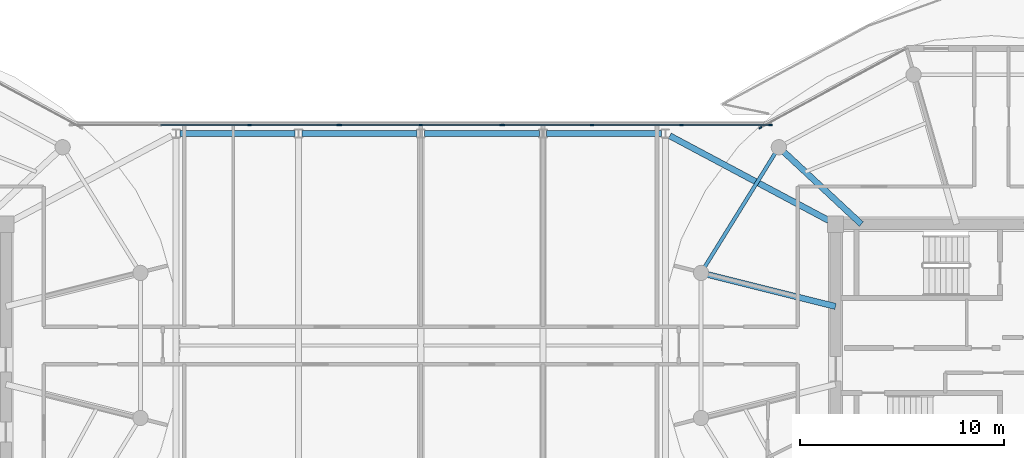
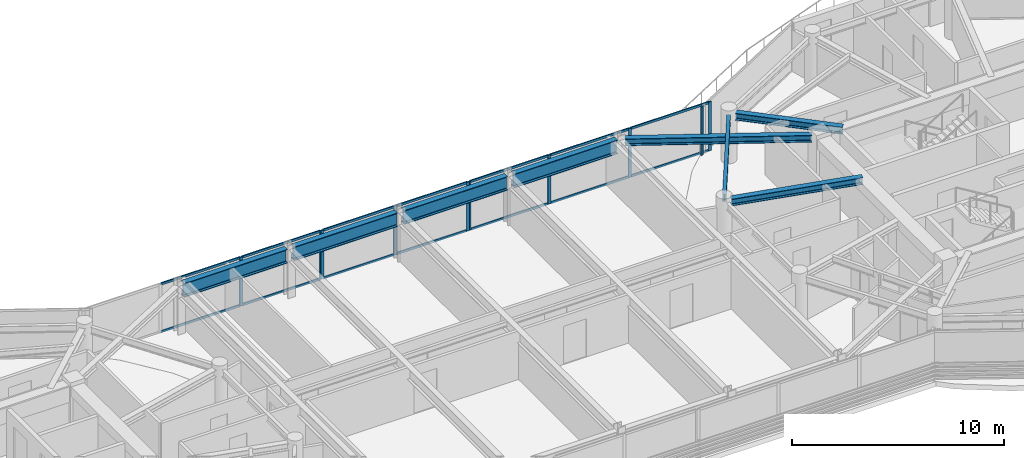
# One storey, part 8 of 23: 24 members, 8 beams, 4 elements without a shape of their own.
"""IFC4 building model written with IfcOpenShell, lengths in metres."""

import ifcopenshell
import ifcopenshell.guid

model = None  # the IFC model being written
_history = None  # IfcOwnerHistory: only IFC2X3 demands one
_inside = {}  # id of a spatial element -> (the spatial element, [elements in it])
_under = {}  # id of a project, library or spatial element -> (it, [spatial elements below it])
_declared = {}  # id of a project -> (the project, [libraries it declares])
_typed = {}  # id of a type object -> (the type object, [elements of that type])
_made_of = {}  # id of a material, layer set ... -> (it, [elements and type objects made of it])


def new_model(schema):
    """Start an empty IFC model of exactly this schema.

    Asked for "IFC4X3", IfcOpenShell would pick the latest addendum, in which some entities
    have other attributes; the version numbers below select the first issue.
    IFC2X3 requires an IfcOwnerHistory on every rooted entity: one is made here for all.
    """
    global model, _history
    if schema == "IFC4X3":
        model = ifcopenshell.file(schema_version=(4, 3, 0, 0))
    else:
        model = ifcopenshell.file(schema=schema)
    _inside.clear()
    _under.clear()
    _declared.clear()
    _typed.clear()
    _made_of.clear()
    _history = None
    if model.schema == "IFC2X3":
        org = make("IfcOrganization", Name="unknown")
        user = make(
            "IfcPersonAndOrganization",
            ThePerson=make("IfcPerson", FamilyName="unknown"),
            TheOrganization=org,
        )
        app = make(
            "IfcApplication",
            ApplicationDeveloper=org,
            Version="unknown",
            ApplicationFullName="unknown",
            ApplicationIdentifier="unknown",
        )
        _history = make(
            "IfcOwnerHistory",
            OwningUser=user,
            OwningApplication=app,
            ChangeAction="ADDED",
            CreationDate=0,
        )
    return model


def make(cls, **values):
    """One entity of the class cls with the attributes given. An attribute that is None is left unset."""
    return model.create_entity(
        cls, **{name: value for name, value in values.items() if value is not None}
    )


def rooted(cls, **values):
    """An entity with a GlobalId (a new one), such as an element, a storey or a relation."""
    return make(cls, GlobalId=ifcopenshell.guid.new(), OwnerHistory=_history, **values)


def si_unit(unit_type, name, prefix=None):
    """IfcSIUnit, for example si_unit("LENGTHUNIT", "METRE", prefix="MILLI")."""
    return make("IfcSIUnit", UnitType=unit_type, Prefix=prefix, Name=name)


def assignment(units):
    """IfcUnitAssignment: the units of a project."""
    return None if units is None else make("IfcUnitAssignment", Units=units)


def point(xyz):
    """IfcCartesianPoint."""
    return None if xyz is None else make("IfcCartesianPoint", Coordinates=xyz)


def direction(xyz):
    """IfcDirection."""
    return None if xyz is None else make("IfcDirection", DirectionRatios=xyz)


def frame(location, z_axis=None, x_axis=None):
    """IfcAxis2Placement3D, a coordinate frame: its origin and axes. An axis left out is left unset."""
    return make(
        "IfcAxis2Placement3D",
        Location=point(location),
        Axis=direction(z_axis),
        RefDirection=direction(x_axis),
    )


def frame_2d(location, x_axis=None):
    """IfcAxis2Placement2D, a coordinate frame in the plane: its origin and x axis."""
    return make(
        "IfcAxis2Placement2D", Location=point(location), RefDirection=direction(x_axis)
    )


def origin():
    """The frame at (0, 0, 0) with its axes left unset."""
    return frame((0.0, 0.0, 0.0))


def origin_2d():
    """The frame at (0, 0) in the plane with its x axis left unset."""
    return frame_2d((0.0, 0.0))


def place(relative_to, where):
    """IfcLocalPlacement: puts the frame where relative to a parent placement (None: the world)."""
    return make(
        "IfcLocalPlacement", PlacementRelTo=relative_to, RelativePlacement=where
    )


def context(
    kind, dimensions, precision=None, world=None, true_north=None, identifier=None
):
    """IfcGeometricRepresentationContext, for example the 3D "Model" context."""
    return make(
        "IfcGeometricRepresentationContext",
        ContextIdentifier=identifier,
        ContextType=kind,
        CoordinateSpaceDimension=dimensions,
        Precision=precision,
        WorldCoordinateSystem=world,
        TrueNorth=true_north,
    )


def subcontext(parent, identifier, kind, view, scale=None):
    """IfcGeometricRepresentationSubContext, for example "Body" below "Model"."""
    return make(
        "IfcGeometricRepresentationSubContext",
        ContextIdentifier=identifier,
        ContextType=kind,
        ParentContext=parent,
        TargetScale=scale,
        TargetView=view,
    )


def project(units=None, contexts=None):
    """IfcProject with its units and contexts."""
    return rooted(
        "IfcProject",
        Name="project",
        RepresentationContexts=contexts,
        UnitsInContext=assignment(units),
    )


def spatial(cls, under=None, at=None, **own):
    """A site, building, storey or space (cls), placed at a placement, below another one or the project."""
    s = rooted(cls, ObjectPlacement=at, **own)
    if under is not None:
        _under.setdefault(under.id(), (under, []))[1].append(s)
    return s


def profile(cls, at=None, kind="AREA", **sizes):
    """A parametric profile (cls). Its sizes go by their IFC names, for example OverallWidth=200.0."""
    return make(cls, ProfileType=kind, Position=at, **sizes)


def rectangle(**sizes):
    """IfcRectangleProfileDef."""
    return profile("IfcRectangleProfileDef", **sizes)


def i_section(**sizes):
    """IfcIShapeProfileDef."""
    return profile("IfcIShapeProfileDef", **sizes)


def extrude(swept, where, along, depth):
    """IfcExtrudedAreaSolid: the profile swept, set in the frame where, extruded along a direction by depth."""
    return make(
        "IfcExtrudedAreaSolid",
        SweptArea=swept,
        Position=where,
        ExtrudedDirection=direction(along),
        Depth=depth,
    )


def shape(context_of_items, identifier, shape_type, items):
    """IfcShapeRepresentation: the items that make up one representation, for example the "Body"."""
    return make(
        "IfcShapeRepresentation",
        ContextOfItems=context_of_items,
        RepresentationIdentifier=identifier,
        RepresentationType=shape_type,
        Items=items,
    )


def source(mapping_origin, context_of_items, identifier, shape_type, items):
    """IfcRepresentationMap: a shape defined once, which mapped items show again and again."""
    return make(
        "IfcRepresentationMap",
        MappingOrigin=mapping_origin,
        MappedRepresentation=shape(context_of_items, identifier, shape_type, items),
    )


def transform(
    local_origin,
    x_axis=None,
    y_axis=None,
    z_axis=None,
    scale=None,
    scale2=None,
    scale3=None,
    uniform=True,
):
    """IfcCartesianTransformationOperator3D, or its non-uniform kind. x_axis, y_axis, z_axis: its Axis1, 2, 3."""
    if uniform:
        return make(
            "IfcCartesianTransformationOperator3D",
            Axis1=direction(x_axis),
            Axis2=direction(y_axis),
            LocalOrigin=point(local_origin),
            Scale=scale,
            Axis3=direction(z_axis),
        )
    return make(
        "IfcCartesianTransformationOperator3DnonUniform",
        Axis1=direction(x_axis),
        Axis2=direction(y_axis),
        LocalOrigin=point(local_origin),
        Scale=scale,
        Axis3=direction(z_axis),
        Scale2=scale2,
        Scale3=scale3,
    )


def mapped(mapping_source, mapping_target):
    """IfcMappedItem: shows the shape of a source again, moved by a transform."""
    return make(
        "IfcMappedItem", MappingSource=mapping_source, MappingTarget=mapping_target
    )


def material(Name=None, Category=None):
    """IfcMaterial."""
    return make("IfcMaterial", Name=Name, Category=Category)


def layer(
    of_material, thickness, ventilated=None, Name=None, Category=None, Priority=None
):
    """IfcMaterialLayer: one layer of a wall or slab, of a material (None: an air gap)."""
    return make(
        "IfcMaterialLayer",
        Material=of_material,
        LayerThickness=thickness,
        IsVentilated=ventilated,
        Name=Name,
        Category=Category,
        Priority=Priority,
    )


def layer_set(layers, Name=None):
    """IfcMaterialLayerSet."""
    return make("IfcMaterialLayerSet", MaterialLayers=layers, LayerSetName=Name)


def material_profile(
    of_material, cross_section, Name=None, Category=None, Priority=None
):
    """IfcMaterialProfile: a cross section and its material."""
    return make(
        "IfcMaterialProfile",
        Name=Name,
        Material=of_material,
        Profile=cross_section,
        Priority=Priority,
        Category=Category,
    )


def profile_set(profiles, Name=None, composite=None):
    """IfcMaterialProfileSet."""
    return make(
        "IfcMaterialProfileSet",
        Name=Name,
        MaterialProfiles=profiles,
        CompositeProfile=composite,
    )


def made_of(thing, what):
    """Note that an element or type object is made of a material, layer set ...; save() writes the relation."""
    if what is not None:
        _made_of.setdefault(what.id(), (what, []))[1].append(thing)
    return thing


def type_object(cls, material=None, **own):
    """A type object (cls), such as IfcWallType, which elements share."""
    return made_of(rooted(cls, **own), material)


def type_shapes(of_type, sources):
    """Give a type object the sources (RepresentationMaps) that its elements show as mapped items."""
    of_type.RepresentationMaps = sources


def element(
    cls,
    number,
    at=None,
    inside=None,
    cuts=None,
    type_object=None,
    material=None,
    context=None,
    identifier="Body",
    shape_type=None,
    held_by="IfcProductDefinitionShape",
    body=None,
    shapes=None,
    **own,
):
    """One element of the class cls, such as IfcWall. Its Tag is "e" and its number.

    at: its placement. inside: the storey or other place that contains it. cuts: it is an
    opening in that element (IfcRelVoidsElement). A single representation is given by context,
    identifier, shape_type and body (its items); several are given by shapes. held_by: the class
    of the entity that holds the representations. save() writes the other relations.
    """
    e = rooted(cls, Tag="e%d" % number, ObjectPlacement=at, **own)
    if body is not None:
        shapes = [shape(context, identifier, shape_type, body)]
    if shapes is not None:
        e.Representation = make(held_by, Representations=shapes)
    if inside is not None:
        _inside.setdefault(inside.id(), (inside, []))[1].append(e)
    if cuts is not None:
        rooted(
            "IfcRelVoidsElement", RelatingBuildingElement=cuts, RelatedOpeningElement=e
        )
    if type_object is not None:
        _typed.setdefault(type_object.id(), (type_object, []))[1].append(e)
    return made_of(e, material)


def aggregate(whole, parts):
    """IfcRelAggregates: a whole, such as a stair, and the parts it consists of."""
    return rooted("IfcRelAggregates", RelatingObject=whole, RelatedObjects=parts)


def save(model, path):
    """Write the relations noted so far, then the file.

    IfcRelAggregates (storeys below a building ...), IfcRelContainedInSpatialStructure (elements
    in a storey), IfcRelDefinesByType, IfcRelAssociatesMaterial and IfcRelDeclares: one each for
    every whole, place, type object, material and project.
    """
    for whole, parts in _under.values():
        aggregate(whole, parts)
    for where, things in _inside.values():
        rooted(
            "IfcRelContainedInSpatialStructure",
            RelatedElements=things,
            RelatingStructure=where,
        )
    for kind, things in _typed.values():
        rooted("IfcRelDefinesByType", RelatedObjects=things, RelatingType=kind)
    for what, things in _made_of.values():
        rooted("IfcRelAssociatesMaterial", RelatedObjects=things, RelatingMaterial=what)
    for by, libraries in _declared.values():
        rooted("IfcRelDeclares", RelatingContext=by, RelatedDefinitions=libraries)
    model.write(path)


model = new_model("IFC4")

# Units and contexts
model_context = context("Model", 3, precision=1e-05, world=origin(), true_north=direction((0.0, 1.0)))
body_context = subcontext(model_context, "Body", "Model", "MODEL_VIEW")
ifc_project = project(units=[si_unit("LENGTHUNIT", "METRE"), si_unit("AREAUNIT", "SQUARE_METRE"), si_unit("VOLUMEUNIT", "CUBIC_METRE"), si_unit("PLANEANGLEUNIT", "RADIAN"), si_unit("MASSUNIT", "GRAM", prefix="KILO")], contexts=[model_context])

# Site, building, storey
site_placement = place(None, origin())
site = spatial("IfcSite", under=ifc_project, at=site_placement, CompositionType="ELEMENT")
building_placement = place(site_placement, origin())
building = spatial("IfcBuilding", under=site, at=building_placement, Name="Norrkilde Senior Care Towers", CompositionType="ELEMENT")
storey_placement = place(building_placement, frame((0.0, 0.0, 229.14990234375)))
storey = spatial("IfcBuildingStorey", under=building, at=storey_placement, Name="L71", CompositionType="ELEMENT", Elevation=229.14990234375)

# Beams
ifc_material_1 = material(Name="Steel S355", Category="steel")
ifc_material_profile_1 = material_profile(ifc_material_1, i_section(OverallWidth=0.179931640625, OverallDepth=0.39990234375, WebThickness=0.008544921875, FlangeThickness=0.013427734375, FilletRadius=0.02099609375, at=origin_2d()), Name="IPE 400")
ifc_profile_set_1 = profile_set([ifc_material_profile_1], Name="Steel S355")
beam_type_1 = type_object("IfcBeamType", Name="Perimeter Ring Spandrel Z4 IPE400", PredefinedType="SPANDREL", material=ifc_profile_set_1)
shared_shape_1 = source(origin(), body_context, "Body", "SweptSolid", [
    extrude(i_section(OverallWidth=0.179931640625, OverallDepth=0.39990234375, WebThickness=0.008544921875, FlangeThickness=0.013427734375, FilletRadius=0.02099609375, at=origin_2d()), origin(), (0.0, 0.0, 1.0), 6.58056640625),
])
type_shapes(beam_type_1, [shared_shape_1])
beam_1_placement = place(storey_placement, frame((17.393798828125, 9.43798828125, 2.610107421875), z_axis=(-0.526529583789, -0.850156807533, 0.0), x_axis=(0.850156807533, -0.526529583789, 0.0)))
element("IfcBeam", 1, at=beam_1_placement, inside=storey, type_object=beam_type_1, Name="L71 Drum E Perimeter Spandrel 05", PredefinedType="SPANDREL", context=body_context, shape_type="MappedRepresentation", body=[
    mapped(shared_shape_1, transform((0.0, 0.0, 0.0), x_axis=(1.0, 0.0, 0.0), y_axis=(0.0, 1.0, 0.0), z_axis=(0.0, 0.0, 1.0), scale=1.0)),
])
ifc_material_profile_2 = material_profile(ifc_material_1, i_section(OverallWidth=0.300048828125, OverallDepth=0.39990234375, WebThickness=0.013427734375, FlangeThickness=0.02392578125, FilletRadius=0.027099609375, at=origin_2d()), Name="HEB 400")
ifc_profile_set_2 = profile_set([ifc_material_profile_2], Name="Steel S355")
beam_type_2 = type_object("IfcBeamType", Name="Radial Floor Beam Z4 HEB400", PredefinedType="BEAM", material=ifc_profile_set_2)
shared_shape_2 = source(origin(), body_context, "Body", "SweptSolid", [
    extrude(i_section(OverallWidth=0.300048828125, OverallDepth=0.39990234375, WebThickness=0.013427734375, FlangeThickness=0.02392578125, FilletRadius=0.027099609375, at=origin_2d()), origin(), (0.0, 0.0, 1.0), 6.465087890625),
])
beam_2_placement = place(storey_placement, frame((20.35009765625, 1.910888671875, 2.610107421875), z_axis=(-0.970195788563, 0.242322371758, 0.0), x_axis=(-0.242322371758, -0.970195788563, 0.0)))
element("IfcBeam", 2, at=beam_2_placement, inside=storey, type_object=beam_type_2, Name="L71 Drum E Radial Floor Beam 06", PredefinedType="BEAM", context=body_context, shape_type="MappedRepresentation", body=[
    mapped(shared_shape_2, transform((0.0, 0.0, 0.0), x_axis=(1.0, 0.0, 0.0), y_axis=(0.0, 1.0, 0.0), z_axis=(0.0, 0.0, 1.0), scale=1.0)),
])
shared_shape_3 = source(origin(), body_context, "Body", "SweptSolid", [
    extrude(i_section(OverallWidth=0.300048828125, OverallDepth=0.39990234375, WebThickness=0.013427734375, FlangeThickness=0.02392578125, FilletRadius=0.027099609375, at=origin_2d()), origin(), (0.0, 0.0, 1.0), 5.197998046875),
])
beam_3_placement = place(storey_placement, frame((21.6171875, 5.949951171875, 2.610107421875), z_axis=(-0.731448749334, 0.681896419625, 0.0), x_axis=(-0.681896419625, -0.731448749334, 0.0)))
element("IfcBeam", 3, at=beam_3_placement, inside=storey, type_object=beam_type_2, Name="L71 Drum E Radial Floor Beam 05", PredefinedType="BEAM", context=body_context, shape_type="MappedRepresentation", body=[
    mapped(shared_shape_3, transform((0.0, 0.0, 0.0), x_axis=(1.0, 0.0, 0.0), y_axis=(0.0, 1.0, 0.0), z_axis=(0.0, 0.0, 1.0), scale=1.0)),
])
shared_shape_4 = source(origin(), body_context, "Body", "SweptSolid", [
    extrude(i_section(OverallWidth=0.300048828125, OverallDepth=0.39990234375, WebThickness=0.013427734375, FlangeThickness=0.02392578125, FilletRadius=0.027099609375, at=origin_2d()), origin(), (0.0, 0.0, 1.0), 8.831787109375),
])
type_shapes(beam_type_2, [shared_shape_2, shared_shape_3, shared_shape_4])
beam_4_placement = place(storey_placement, frame((12.220703125, 10.282470703125, 2.610107421875), z_axis=(0.882492172381, -0.470327083727, 0.0), x_axis=(0.470327083727, 0.882492172381, 0.0)))
element("IfcBeam", 4, at=beam_4_placement, inside=storey, type_object=beam_type_2, Name="L71 Sky-Gate Bridge Girder N6", PredefinedType="BEAM", context=body_context, shape_type="MappedRepresentation", body=[
    mapped(shared_shape_4, transform((0.0, 0.0, 0.0), x_axis=(1.0, 0.0, 0.0), y_axis=(0.0, 1.0, 0.0), z_axis=(0.0, 0.0, 1.0), scale=1.0)),
])
ifc_material_profile_3 = material_profile(ifc_material_1, i_section(OverallWidth=0.300048828125, OverallDepth=0.800048828125, WebThickness=0.017578125, FlangeThickness=0.032958984375, FilletRadius=0.030029296875, at=origin_2d()), Name="HEB 800")
ifc_profile_set_3 = profile_set([ifc_material_profile_3], Name="Steel S355")
beam_type_3 = type_object("IfcBeamType", Name="Bridge Floor Girder HEB800", PredefinedType="USERDEFINED", material=ifc_profile_set_3)
shared_shape_5 = source(origin(), body_context, "Body", "SweptSolid", [
    extrude(i_section(OverallWidth=0.300048828125, OverallDepth=0.800048828125, WebThickness=0.017578125, FlangeThickness=0.032958984375, FilletRadius=0.030029296875, at=origin_2d()), origin(), (0.0, 0.0, 1.0), 5.64013671875),
])
type_shapes(beam_type_3, [shared_shape_5])
for number, where, z_axis, x_axis, name in (
    (5, (-11.820068359375, 10.39990234375, 2.41015625), (1.0, 0.0, 0.0), (0.0, 1.0, 0.0), "L71 Sky-Gate Bridge Girder N2"),
    (6, (-5.820068359375, 10.39990234375, 2.41015625), (1.0, 0.0, 0.0), (0.0, 1.0, 0.0), "L71 Sky-Gate Bridge Girder N3"),
    (7, (0.179931640625, 10.39990234375, 2.41015625), (1.0, 0.0, 0.0), (0.0, 1.0, 0.0), "L71 Sky-Gate Bridge Girder N4"),
    (8, (6.179931640625, 10.39990234375, 2.41015625), (1.0, 0.0, 0.0), (0.0, 1.0, 0.0), "L71 Sky-Gate Bridge Girder N5"),
):
    element("IfcBeam", number, at=place(storey_placement, frame(where, z_axis=z_axis, x_axis=x_axis)), inside=storey, type_object=beam_type_3, Name=name, ObjectType="GIRDER", PredefinedType="USERDEFINED", context=body_context, shape_type="MappedRepresentation", body=[
        mapped(shared_shape_5, transform((0.0, 0.0, 0.0), x_axis=(1.0, 0.0, 0.0), y_axis=(0.0, 1.0, 0.0), z_axis=(0.0, 0.0, 1.0), scale=1.0)),
    ])

# Curtain wall, member
ifc_material_2 = material(Name="Triple Low-E Insulated Glazing", Category="glass")
ifc_layer_1 = layer(ifc_material_2, 0.18505859375)
ifc_layer_set_1 = layer_set([ifc_layer_1], Name="Triple Low-E Insulated Glazing")
curtain_wall_type_1 = type_object("IfcCurtainWallType", Name="CW6 Zone 4 Crown Pavilion Curtain Wall", PredefinedType="NOTDEFINED", material=ifc_layer_set_1)
curtain_wall_1_placement = place(storey_placement, origin())
curtain_wall_1 = element("IfcCurtainWall", 9, at=curtain_wall_1_placement, inside=storey, type_object=curtain_wall_type_1, Name="L71 Drum E Curtain Wall 03", PredefinedType="NOTDEFINED")
ifc_material_3 = material(Name="Anodised Aluminium", Category="aluminium")
ifc_material_profile_4 = material_profile(ifc_material_3, rectangle(XDim=0.06494140625, YDim=0.14990234375, at=origin_2d()), Name="ALU MULL 65x150")
ifc_profile_set_4 = profile_set([ifc_material_profile_4], Name="Anodised Aluminium")
member_type_1 = type_object("IfcMemberType", Name="Curtain Wall Mullion Z3-Z4 65x150", PredefinedType="MULLION", material=ifc_profile_set_4)
shared_shape_6 = source(origin(), body_context, "Body", "SweptSolid", [
    extrude(rectangle(XDim=0.06494140625, YDim=0.14990234375, at=origin_2d()), origin(), (0.0, 0.0, 1.0), 2.81005859375),
])
type_shapes(member_type_1, [shared_shape_6])
member_1_placement = place(storey_placement, frame((16.658203125, 10.6787109375, 0.0), z_axis=(0.0, 0.0, 1.0), x_axis=(-0.476132676136, 0.879373455772, 0.0)))
member_1 = element("IfcMember", 10, at=member_1_placement, type_object=member_type_1, Name="CW-6 mullion 1", PredefinedType="MULLION", context=body_context, shape_type="MappedRepresentation", body=[
    mapped(shared_shape_6, transform((0.0, 0.0, 0.0), x_axis=(1.0, 0.0, 0.0), y_axis=(0.0, 1.0, 0.0), z_axis=(0.0, 0.0, 1.0), scale=1.0)),
])
aggregate(curtain_wall_1, [member_1])

# Curtain wall, members
ifc_layer_2 = layer(ifc_material_2, 0.2099609375)
ifc_layer_set_2 = layer_set([ifc_layer_2], Name="Triple Low-E Insulated Glazing")
curtain_wall_type_2 = type_object("IfcCurtainWallType", Name="CW5 Sky-Gate Bridge Curtain Wall", PredefinedType="NOTDEFINED", material=ifc_layer_set_2)
curtain_wall_2_placement = place(storey_placement, origin())
curtain_wall_2 = element("IfcCurtainWall", 11, at=curtain_wall_2_placement, inside=storey, type_object=curtain_wall_type_2, Name="L71 Sky-Gate Bridge North Curtain Wall 1", PredefinedType="NOTDEFINED")
ifc_material_profile_5 = material_profile(ifc_material_3, rectangle(XDim=0.06494140625, YDim=0.1298828125, at=origin_2d()), Name="ALU TRAN 65x130")
ifc_profile_set_5 = profile_set([ifc_material_profile_5], Name="Anodised Aluminium")
member_type_2 = type_object("IfcMemberType", Name="Curtain Wall Transom Heavy 65x130", PredefinedType="USERDEFINED", material=ifc_profile_set_5)
shared_shape_7 = source(origin(), body_context, "Body", "SweptSolid", [
    extrude(rectangle(XDim=0.06494140625, YDim=0.1298828125, at=origin_2d()), origin(), (0.0, 0.0, 1.0), 4.294921875),
])
member_2_placement = place(storey_placement, frame((-8.364990234375, 10.820068359375, 0.03271484375), z_axis=(1.0, 0.0, 0.0), x_axis=(0.0, 1.0, 0.0)))
member_2 = element("IfcMember", 12, at=member_2_placement, type_object=member_type_2, Name="CW-5 transom 3.1", ObjectType="TRANSOM", PredefinedType="USERDEFINED", context=body_context, shape_type="MappedRepresentation", body=[
    mapped(shared_shape_7, transform((0.0, 0.0, 0.0), x_axis=(1.0, 0.0, 0.0), y_axis=(0.0, 1.0, 0.0), z_axis=(0.0, 0.0, 1.0), scale=1.0)),
])
member_3_placement = place(storey_placement, frame((-8.364990234375, 10.820068359375, 2.777587890625), z_axis=(1.0, 0.0, 0.0), x_axis=(0.0, 1.0, 0.0)))
member_3 = element("IfcMember", 13, at=member_3_placement, type_object=member_type_2, Name="CW-5 transom 3.2", ObjectType="TRANSOM", PredefinedType="USERDEFINED", context=body_context, shape_type="MappedRepresentation", body=[
    mapped(shared_shape_7, transform((0.0, 0.0, 0.0), x_axis=(1.0, 0.0, 0.0), y_axis=(0.0, 1.0, 0.0), z_axis=(0.0, 0.0, 1.0), scale=1.0)),
])

curtain_wall_3_placement = place(storey_placement, origin())
curtain_wall_3 = element("IfcCurtainWall", 14, at=curtain_wall_3_placement, inside=storey, type_object=curtain_wall_type_2, Name="L71 Sky-Gate Bridge North Curtain Wall 3", PredefinedType="NOTDEFINED")
member_4_placement = place(storey_placement, frame((4.070068359375, 10.820068359375, 0.03271484375), z_axis=(1.0, 0.0, 0.0), x_axis=(0.0, 1.0, 0.0)))
member_4 = element("IfcMember", 15, at=member_4_placement, type_object=member_type_2, Name="CW-5 transom 1.1", ObjectType="TRANSOM", PredefinedType="USERDEFINED", context=body_context, shape_type="MappedRepresentation", body=[
    mapped(shared_shape_7, transform((0.0, 0.0, 0.0), x_axis=(1.0, 0.0, 0.0), y_axis=(0.0, 1.0, 0.0), z_axis=(0.0, 0.0, 1.0), scale=1.0)),
])
member_5_placement = place(storey_placement, frame((4.070068359375, 10.820068359375, 2.777587890625), z_axis=(1.0, 0.0, 0.0), x_axis=(0.0, 1.0, 0.0)))
member_5 = element("IfcMember", 16, at=member_5_placement, type_object=member_type_2, Name="CW-5 transom 1.2", ObjectType="TRANSOM", PredefinedType="USERDEFINED", context=body_context, shape_type="MappedRepresentation", body=[
    mapped(shared_shape_7, transform((0.0, 0.0, 0.0), x_axis=(1.0, 0.0, 0.0), y_axis=(0.0, 1.0, 0.0), z_axis=(0.0, 0.0, 1.0), scale=1.0)),
])
member_6_placement = place(storey_placement, frame((12.8349609375, 10.820068359375, 0.03271484375), z_axis=(1.0, 0.0, 0.0), x_axis=(0.0, 1.0, 0.0)))
member_6 = element("IfcMember", 17, at=member_6_placement, type_object=member_type_2, Name="CW-5 transom 3.1", ObjectType="TRANSOM", PredefinedType="USERDEFINED", context=body_context, shape_type="MappedRepresentation", body=[
    mapped(shared_shape_7, transform((0.0, 0.0, 0.0), x_axis=(1.0, 0.0, 0.0), y_axis=(0.0, 1.0, 0.0), z_axis=(0.0, 0.0, 1.0), scale=1.0)),
])
member_7_placement = place(storey_placement, frame((12.8349609375, 10.820068359375, 2.777587890625), z_axis=(1.0, 0.0, 0.0), x_axis=(0.0, 1.0, 0.0)))
member_7 = element("IfcMember", 18, at=member_7_placement, type_object=member_type_2, Name="CW-5 transom 3.2", ObjectType="TRANSOM", PredefinedType="USERDEFINED", context=body_context, shape_type="MappedRepresentation", body=[
    mapped(shared_shape_7, transform((0.0, 0.0, 0.0), x_axis=(1.0, 0.0, 0.0), y_axis=(0.0, 1.0, 0.0), z_axis=(0.0, 0.0, 1.0), scale=1.0)),
])

# Member
shared_shape_8 = source(origin(), body_context, "Body", "SweptSolid", [
    extrude(rectangle(XDim=0.06494140625, YDim=0.1298828125, at=origin_2d()), origin(), (0.0, 0.0, 1.0), 4.329833984375),
])
member_8_placement = place(storey_placement, frame((-12.764892578125, 10.820068359375, 0.03271484375), z_axis=(1.0, 0.0, 0.0), x_axis=(0.0, 1.0, 0.0)))
member_8 = element("IfcMember", 19, at=member_8_placement, type_object=member_type_2, Name="CW-5 transom 2.1", ObjectType="TRANSOM", PredefinedType="USERDEFINED", context=body_context, shape_type="MappedRepresentation", body=[
    mapped(shared_shape_8, transform((0.0, 0.0, 0.0), x_axis=(1.0, 0.0, 0.0), y_axis=(0.0, 1.0, 0.0), z_axis=(0.0, 0.0, 1.0), scale=1.0)),
])

member_9_placement = place(storey_placement, frame((-12.764892578125, 10.820068359375, 2.777587890625), z_axis=(1.0, 0.0, 0.0), x_axis=(0.0, 1.0, 0.0)))
member_9 = element("IfcMember", 20, at=member_9_placement, type_object=member_type_2, Name="CW-5 transom 2.2", ObjectType="TRANSOM", PredefinedType="USERDEFINED", context=body_context, shape_type="MappedRepresentation", body=[
    mapped(shared_shape_8, transform((0.0, 0.0, 0.0), x_axis=(1.0, 0.0, 0.0), y_axis=(0.0, 1.0, 0.0), z_axis=(0.0, 0.0, 1.0), scale=1.0)),
])

member_10_placement = place(storey_placement, frame((8.43505859375, 10.820068359375, 0.03271484375), z_axis=(1.0, 0.0, 0.0), x_axis=(0.0, 1.0, 0.0)))
member_10 = element("IfcMember", 21, at=member_10_placement, type_object=member_type_2, Name="CW-5 transom 2.1", ObjectType="TRANSOM", PredefinedType="USERDEFINED", context=body_context, shape_type="MappedRepresentation", body=[
    mapped(shared_shape_8, transform((0.0, 0.0, 0.0), x_axis=(1.0, 0.0, 0.0), y_axis=(0.0, 1.0, 0.0), z_axis=(0.0, 0.0, 1.0), scale=1.0)),
])

member_11_placement = place(storey_placement, frame((8.43505859375, 10.820068359375, 2.777587890625), z_axis=(1.0, 0.0, 0.0), x_axis=(0.0, 1.0, 0.0)))
member_11 = element("IfcMember", 22, at=member_11_placement, type_object=member_type_2, Name="CW-5 transom 2.2", ObjectType="TRANSOM", PredefinedType="USERDEFINED", context=body_context, shape_type="MappedRepresentation", body=[
    mapped(shared_shape_8, transform((0.0, 0.0, 0.0), x_axis=(1.0, 0.0, 0.0), y_axis=(0.0, 1.0, 0.0), z_axis=(0.0, 0.0, 1.0), scale=1.0)),
])

# Curtain wall, members
curtain_wall_4_placement = place(storey_placement, origin())
curtain_wall_4 = element("IfcCurtainWall", 23, at=curtain_wall_4_placement, inside=storey, type_object=curtain_wall_type_2, Name="L71 Sky-Gate Bridge North Curtain Wall 2", PredefinedType="NOTDEFINED")
shared_shape_9 = source(origin(), body_context, "Body", "SweptSolid", [
    extrude(rectangle(XDim=0.06494140625, YDim=0.1298828125, at=origin_2d()), origin(), (0.0, 0.0, 1.0), 3.89501953125),
])
type_shapes(member_type_2, [shared_shape_7, shared_shape_8, shared_shape_9])
member_12_placement = place(storey_placement, frame((-3.929931640625, 10.820068359375, 0.03271484375), z_axis=(1.0, 0.0, 0.0), x_axis=(0.0, 1.0, 0.0)))
member_12 = element("IfcMember", 24, at=member_12_placement, type_object=member_type_2, Name="CW-5 transom 1.1", ObjectType="TRANSOM", PredefinedType="USERDEFINED", context=body_context, shape_type="MappedRepresentation", body=[
    mapped(shared_shape_9, transform((0.0, 0.0, 0.0), x_axis=(1.0, 0.0, 0.0), y_axis=(0.0, 1.0, 0.0), z_axis=(0.0, 0.0, 1.0), scale=1.0)),
])
member_13_placement = place(storey_placement, frame((-3.929931640625, 10.820068359375, 2.777587890625), z_axis=(1.0, 0.0, 0.0), x_axis=(0.0, 1.0, 0.0)))
member_13 = element("IfcMember", 25, at=member_13_placement, type_object=member_type_2, Name="CW-5 transom 1.2", ObjectType="TRANSOM", PredefinedType="USERDEFINED", context=body_context, shape_type="MappedRepresentation", body=[
    mapped(shared_shape_9, transform((0.0, 0.0, 0.0), x_axis=(1.0, 0.0, 0.0), y_axis=(0.0, 1.0, 0.0), z_axis=(0.0, 0.0, 1.0), scale=1.0)),
])
member_14_placement = place(storey_placement, frame((0.034912109375, 10.820068359375, 0.03271484375), z_axis=(1.0, 0.0, 0.0), x_axis=(0.0, 1.0, 0.0)))
member_14 = element("IfcMember", 26, at=member_14_placement, type_object=member_type_2, Name="CW-5 transom 2.1", ObjectType="TRANSOM", PredefinedType="USERDEFINED", context=body_context, shape_type="MappedRepresentation", body=[
    mapped(shared_shape_9, transform((0.0, 0.0, 0.0), x_axis=(1.0, 0.0, 0.0), y_axis=(0.0, 1.0, 0.0), z_axis=(0.0, 0.0, 1.0), scale=1.0)),
])
member_15_placement = place(storey_placement, frame((0.034912109375, 10.820068359375, 2.777587890625), z_axis=(1.0, 0.0, 0.0), x_axis=(0.0, 1.0, 0.0)))
member_15 = element("IfcMember", 27, at=member_15_placement, type_object=member_type_2, Name="CW-5 transom 2.2", ObjectType="TRANSOM", PredefinedType="USERDEFINED", context=body_context, shape_type="MappedRepresentation", body=[
    mapped(shared_shape_9, transform((0.0, 0.0, 0.0), x_axis=(1.0, 0.0, 0.0), y_axis=(0.0, 1.0, 0.0), z_axis=(0.0, 0.0, 1.0), scale=1.0)),
])

# Member
ifc_material_profile_6 = material_profile(ifc_material_3, rectangle(XDim=0.070068359375, YDim=0.169921875, at=origin_2d()), Name="ALU MULL 70x170")
ifc_profile_set_6 = profile_set([ifc_material_profile_6], Name="Anodised Aluminium")
member_type_3 = type_object("IfcMemberType", Name="Curtain Wall Mullion Heavy 70x170", PredefinedType="MULLION", material=ifc_profile_set_6)
shared_shape_10 = source(origin(), body_context, "Body", "SweptSolid", [
    extrude(rectangle(XDim=0.070068359375, YDim=0.169921875, at=origin_2d()), origin(), (0.0, 0.0, 1.0), 2.81005859375),
])
type_shapes(member_type_3, [shared_shape_10])
member_16_placement = place(storey_placement, frame((-8.39990234375, 10.820068359375, 0.0), z_axis=(0.0, 0.0, 1.0), x_axis=(0.0, 1.0, 0.0)))
member_16 = element("IfcMember", 28, at=member_16_placement, type_object=member_type_3, Name="CW-5 mullion 3", PredefinedType="MULLION", context=body_context, shape_type="MappedRepresentation", body=[
    mapped(shared_shape_10, transform((0.0, 0.0, 0.0), x_axis=(1.0, 0.0, 0.0), y_axis=(0.0, 1.0, 0.0), z_axis=(0.0, 0.0, 1.0), scale=1.0)),
])

member_17_placement = place(storey_placement, frame((-4.034912109375, 10.820068359375, 0.0), z_axis=(0.0, 0.0, 1.0), x_axis=(0.0, 1.0, 0.0)))
member_17 = element("IfcMember", 29, at=member_17_placement, type_object=member_type_3, Name="CW-5 mullion 4", PredefinedType="MULLION", context=body_context, shape_type="MappedRepresentation", body=[
    mapped(shared_shape_10, transform((0.0, 0.0, 0.0), x_axis=(1.0, 0.0, 0.0), y_axis=(0.0, 1.0, 0.0), z_axis=(0.0, 0.0, 1.0), scale=1.0)),
])

aggregate(curtain_wall_2, [member_16, member_17, member_8, member_9, member_2, member_3])

member_18_placement = place(storey_placement, frame((-3.965087890625, 10.820068359375, 0.0), z_axis=(0.0, 0.0, 1.0), x_axis=(0.0, 1.0, 0.0)))
member_18 = element("IfcMember", 30, at=member_18_placement, type_object=member_type_3, Name="CW-5 mullion 1", PredefinedType="MULLION", context=body_context, shape_type="MappedRepresentation", body=[
    mapped(shared_shape_10, transform((0.0, 0.0, 0.0), x_axis=(1.0, 0.0, 0.0), y_axis=(0.0, 1.0, 0.0), z_axis=(0.0, 0.0, 1.0), scale=1.0)),
])

member_19_placement = place(storey_placement, frame((0.0, 10.820068359375, 0.0), z_axis=(0.0, 0.0, 1.0), x_axis=(0.0, 1.0, 0.0)))
member_19 = element("IfcMember", 31, at=member_19_placement, type_object=member_type_3, Name="CW-5 mullion 2", PredefinedType="MULLION", context=body_context, shape_type="MappedRepresentation", body=[
    mapped(shared_shape_10, transform((0.0, 0.0, 0.0), x_axis=(1.0, 0.0, 0.0), y_axis=(0.0, 1.0, 0.0), z_axis=(0.0, 0.0, 1.0), scale=1.0)),
])

member_20_placement = place(storey_placement, frame((3.965087890625, 10.820068359375, 0.0), z_axis=(0.0, 0.0, 1.0), x_axis=(0.0, 1.0, 0.0)))
member_20 = element("IfcMember", 32, at=member_20_placement, type_object=member_type_3, Name="CW-5 mullion 3", PredefinedType="MULLION", context=body_context, shape_type="MappedRepresentation", body=[
    mapped(shared_shape_10, transform((0.0, 0.0, 0.0), x_axis=(1.0, 0.0, 0.0), y_axis=(0.0, 1.0, 0.0), z_axis=(0.0, 0.0, 1.0), scale=1.0)),
])

aggregate(curtain_wall_4, [member_18, member_19, member_20, member_12, member_13, member_14, member_15])

member_21_placement = place(storey_placement, frame((4.034912109375, 10.820068359375, 0.0), z_axis=(0.0, 0.0, 1.0), x_axis=(0.0, 1.0, 0.0)))
member_21 = element("IfcMember", 33, at=member_21_placement, type_object=member_type_3, Name="CW-5 mullion 1", PredefinedType="MULLION", context=body_context, shape_type="MappedRepresentation", body=[
    mapped(shared_shape_10, transform((0.0, 0.0, 0.0), x_axis=(1.0, 0.0, 0.0), y_axis=(0.0, 1.0, 0.0), z_axis=(0.0, 0.0, 1.0), scale=1.0)),
])

member_22_placement = place(storey_placement, frame((8.39990234375, 10.820068359375, 0.0), z_axis=(0.0, 0.0, 1.0), x_axis=(0.0, 1.0, 0.0)))
member_22 = element("IfcMember", 34, at=member_22_placement, type_object=member_type_3, Name="CW-5 mullion 2", PredefinedType="MULLION", context=body_context, shape_type="MappedRepresentation", body=[
    mapped(shared_shape_10, transform((0.0, 0.0, 0.0), x_axis=(1.0, 0.0, 0.0), y_axis=(0.0, 1.0, 0.0), z_axis=(0.0, 0.0, 1.0), scale=1.0)),
])

member_23_placement = place(storey_placement, frame((12.800048828125, 10.820068359375, 0.0), z_axis=(0.0, 0.0, 1.0), x_axis=(0.0, 1.0, 0.0)))
member_23 = element("IfcMember", 35, at=member_23_placement, type_object=member_type_3, Name="CW-5 mullion 3", PredefinedType="MULLION", context=body_context, shape_type="MappedRepresentation", body=[
    mapped(shared_shape_10, transform((0.0, 0.0, 0.0), x_axis=(1.0, 0.0, 0.0), y_axis=(0.0, 1.0, 0.0), z_axis=(0.0, 0.0, 1.0), scale=1.0)),
])

member_24_placement = place(storey_placement, frame((17.1650390625, 10.820068359375, 0.0), z_axis=(0.0, 0.0, 1.0), x_axis=(0.0, 1.0, 0.0)))
member_24 = element("IfcMember", 36, at=member_24_placement, type_object=member_type_3, Name="CW-5 mullion 4", PredefinedType="MULLION", context=body_context, shape_type="MappedRepresentation", body=[
    mapped(shared_shape_10, transform((0.0, 0.0, 0.0), x_axis=(1.0, 0.0, 0.0), y_axis=(0.0, 1.0, 0.0), z_axis=(0.0, 0.0, 1.0), scale=1.0)),
])

aggregate(curtain_wall_3, [member_21, member_22, member_23, member_24, member_4, member_5, member_10, member_11, member_6, member_7])

save(model, "model.ifc")
